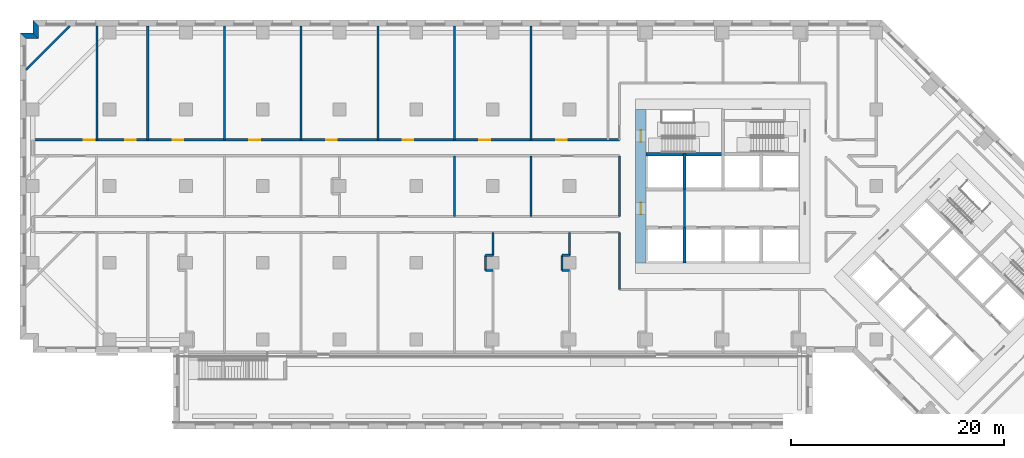
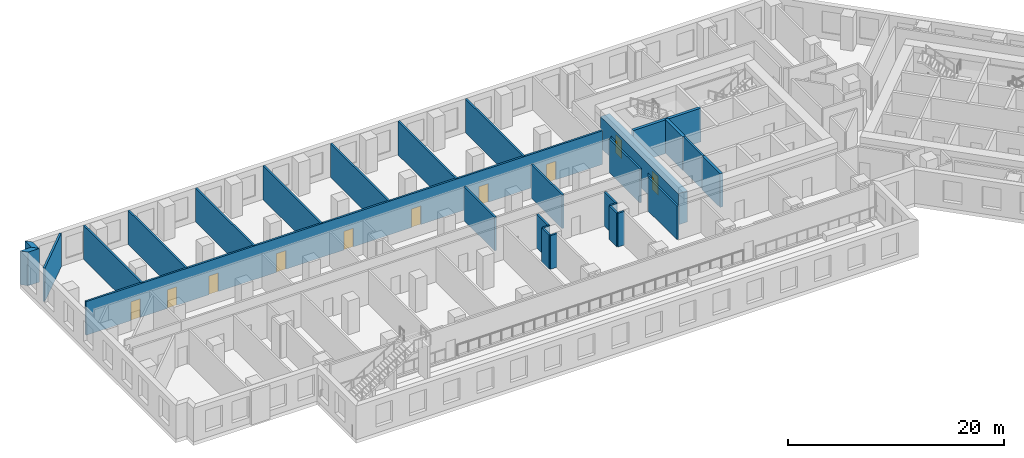
# One storey, part 5 of 14: 28 walls, 10 doors, 10 openings.
"""IFC4 building model written with IfcOpenShell, lengths in metres."""

from ifc_helpers import new_model, si_unit, direction, frame, frame_2d, origin, place, context, subcontext, project, spatial, polyline, rectangle, outline, extrude, material, layer, layer_set, type_object, element, fill, save


model = new_model("IFC4")

# Units and contexts
model_context = context("Model", 3, precision=1e-05, world=origin(), true_north=direction((0.0, 1.0)))
body_context = subcontext(model_context, "Body", "Model", "MODEL_VIEW")
ifc_project = project(units=[si_unit("LENGTHUNIT", "METRE"), si_unit("AREAUNIT", "SQUARE_METRE"), si_unit("VOLUMEUNIT", "CUBIC_METRE"), si_unit("PLANEANGLEUNIT", "RADIAN"), si_unit("MASSUNIT", "GRAM", prefix="KILO")], contexts=[model_context])

# Site, building, storey
site_placement = place(None, origin())
site = spatial("IfcSite", under=ifc_project, at=site_placement, CompositionType="ELEMENT")
building_placement = place(site_placement, origin())
building = spatial("IfcBuilding", under=site, at=building_placement, Name="Windrow Commons", CompositionType="ELEMENT")
storey_placement = place(building_placement, frame((0.0, 0.0, 18.6)))
storey = spatial("IfcBuildingStorey", under=building, at=storey_placement, Name="L04", CompositionType="ELEMENT", Elevation=18.6)

# Walls
ifc_material_1 = material(Name="Brick masonry, red clay brick", Category="masonry")
ifc_layer_1 = layer(ifc_material_1, 0.55)
ifc_layer_set_1 = layer_set([ifc_layer_1], Name="Brick facade wall 550")
wall_type_1 = type_object("IfcWallType", Name="Brick facade wall 550", PredefinedType="SOLIDWALL", material=ifc_layer_set_1)
wall_1_placement = place(storey_placement, frame((0.275, 72.925, 0.0), z_axis=(0.0, 0.0, 1.0), x_axis=(0.0, -1.0, 0.0)))
element("IfcWall", 1, at=wall_1_placement, inside=storey, type_object=wall_type_1, Name="Brick facade wall L04 6", PredefinedType="SOLIDWALL", context=body_context, shape_type="SweptSolid", body=[
    extrude(outline(polyline([(-0.275, -0.275), (0.925, -0.275), (1.475, 0.275), (0.275, 0.275), (-0.275, -0.275)])), origin(), (0.0, 0.0, 1.0), 3.8),
])
wall_2_placement = place(storey_placement, frame((0.275, 71.725, 0.0), z_axis=(0.0, 0.0, 1.0), x_axis=(-1.0, 0.0, 0.0)))
element("IfcWall", 2, at=wall_2_placement, inside=storey, type_object=wall_type_1, Name="Brick facade wall L04 7", PredefinedType="SOLIDWALL", context=body_context, shape_type="SweptSolid", body=[
    extrude(outline(polyline([(0.275, -0.275), (1.475, -0.275), (0.925, 0.275), (-0.275, 0.275), (0.275, -0.275)])), origin(), (0.0, 0.0, 1.0), 3.8),
])
ifc_material_2 = material(Name="Blockwork partition", Category="masonry")
ifc_layer_2 = layer(ifc_material_2, 0.2)
ifc_layer_set_2 = layer_set([ifc_layer_2], Name="Fire lobby partition 200")
wall_type_2 = type_object("IfcWallType", Name="Fire lobby partition 200", PredefinedType="PARTITIONING", material=ifc_layer_set_2)
wall_3_placement = place(storey_placement, frame((61.2, 53.7, 0.0), z_axis=(0.0, 0.0, 1.0), x_axis=(0.0, 1.0, 0.0)))
element("IfcWall", 3, at=wall_3_placement, inside=storey, type_object=wall_type_2, Name="W-core-lobby-A-L04", PredefinedType="PARTITIONING", context=body_context, shape_type="SweptSolid", body=[
    extrude(rectangle(XDim=3.6, YDim=0.2, at=frame_2d((1.8, 0.0))), origin(), (0.0, 0.0, 1.0), 3.8),
])

# Wall, openings, doors
ifc_material_3 = material(Name="Blockwork partition", Category="masonry")
ifc_layer_3 = layer(ifc_material_3, 0.2)
ifc_layer_set_3 = layer_set([ifc_layer_3], Name="IW-CORRIDOR-200")
wall_type_3 = type_object("IfcWallType", Name="IW-CORRIDOR-200", PredefinedType="PARTITIONING", material=ifc_layer_set_3)
wall_4_placement = place(storey_placement, frame((0.002, 61.95, 0.0), z_axis=(0.0, 0.0, 1.0), x_axis=(1.0, 0.0, 0.0)))
wall_4 = element("IfcWall", 4, at=wall_4_placement, inside=storey, type_object=wall_type_3, Name="W-L04-W003", PredefinedType="PARTITIONING", context=body_context, shape_type="SweptSolid", body=[
    extrude(rectangle(XDim=55.098, YDim=0.2, at=frame_2d((27.549, 0.0))), origin(), (0.0, 0.0, 1.0), 3.8),
])
opening_1_placement = place(wall_4_placement, frame((8.6667, 0.0, 0.0)))
opening_1 = element("IfcOpeningElement", 5, at=opening_1_placement, cuts=wall_4, Name="Opening D310F", PredefinedType="OPENING", context=body_context, shape_type="SweptSolid", body=[
    extrude(rectangle(XDim=1.0, YDim=2.1, at=frame_2d((0.5, 1.05))), frame((0.0, 0.11, 0.0), z_axis=(0.0, -1.0, 0.0), x_axis=(1.0, 0.0, 0.0)), (0.0, 0.0, 1.0), 0.22),
])
opening_2_placement = place(wall_4_placement, frame((13.1355, 0.0, 0.0)))
opening_2 = element("IfcOpeningElement", 6, at=opening_2_placement, cuts=wall_4, Name="Opening D310F", PredefinedType="OPENING", context=body_context, shape_type="SweptSolid", body=[
    extrude(rectangle(XDim=1.0, YDim=2.1, at=frame_2d((0.5, 1.05))), frame((0.0, 0.11, 0.0), z_axis=(0.0, -1.0, 0.0), x_axis=(1.0, 0.0, 0.0)), (0.0, 0.0, 1.0), 0.22),
])
opening_3_placement = place(wall_4_placement, frame((20.3355, 0.0, 0.0)))
opening_3 = element("IfcOpeningElement", 7, at=opening_3_placement, cuts=wall_4, Name="Opening D310F", PredefinedType="OPENING", context=body_context, shape_type="SweptSolid", body=[
    extrude(rectangle(XDim=1.0, YDim=2.1, at=frame_2d((0.5, 1.05))), frame((0.0, 0.11, 0.0), z_axis=(0.0, -1.0, 0.0), x_axis=(1.0, 0.0, 0.0)), (0.0, 0.0, 1.0), 0.22),
])
opening_4_placement = place(wall_4_placement, frame((27.5355, 0.0, 0.0)))
opening_4 = element("IfcOpeningElement", 8, at=opening_4_placement, cuts=wall_4, Name="Opening D310F", PredefinedType="OPENING", context=body_context, shape_type="SweptSolid", body=[
    extrude(rectangle(XDim=1.0, YDim=2.1, at=frame_2d((0.5, 1.05))), frame((0.0, 0.11, 0.0), z_axis=(0.0, -1.0, 0.0), x_axis=(1.0, 0.0, 0.0)), (0.0, 0.0, 1.0), 0.22),
])
opening_5_placement = place(wall_4_placement, frame((34.7355, 0.0, 0.0)))
opening_5 = element("IfcOpeningElement", 9, at=opening_5_placement, cuts=wall_4, Name="Opening D310F", PredefinedType="OPENING", context=body_context, shape_type="SweptSolid", body=[
    extrude(rectangle(XDim=1.0, YDim=2.1, at=frame_2d((0.5, 1.05))), frame((0.0, 0.11, 0.0), z_axis=(0.0, -1.0, 0.0), x_axis=(1.0, 0.0, 0.0)), (0.0, 0.0, 1.0), 0.22),
])
opening_6_placement = place(wall_4_placement, frame((41.9355, 0.0, 0.0)))
opening_6 = element("IfcOpeningElement", 10, at=opening_6_placement, cuts=wall_4, Name="Opening D310F", PredefinedType="OPENING", context=body_context, shape_type="SweptSolid", body=[
    extrude(rectangle(XDim=1.0, YDim=2.1, at=frame_2d((0.5, 1.05))), frame((0.0, 0.11, 0.0), z_axis=(0.0, -1.0, 0.0), x_axis=(1.0, 0.0, 0.0)), (0.0, 0.0, 1.0), 0.22),
])
opening_7_placement = place(wall_4_placement, frame((49.1355, 0.0, 0.0)))
opening_7 = element("IfcOpeningElement", 11, at=opening_7_placement, cuts=wall_4, Name="Opening D310F", PredefinedType="OPENING", context=body_context, shape_type="SweptSolid", body=[
    extrude(rectangle(XDim=1.0, YDim=2.1, at=frame_2d((0.5, 1.05))), frame((0.0, 0.11, 0.0), z_axis=(0.0, -1.0, 0.0), x_axis=(1.0, 0.0, 0.0)), (0.0, 0.0, 1.0), 0.22),
])
opening_8_placement = place(wall_4_placement, frame((4.7989, 0.0, 0.0)))
opening_8 = element("IfcOpeningElement", 12, at=opening_8_placement, cuts=wall_4, Name="Opening D310F", PredefinedType="OPENING", context=body_context, shape_type="SweptSolid", body=[
    extrude(rectangle(XDim=1.0, YDim=2.1, at=frame_2d((0.5, 1.05))), frame((0.0, 0.11, 0.0), z_axis=(0.0, -1.0, 0.0), x_axis=(1.0, 0.0, 0.0)), (0.0, 0.0, 1.0), 0.22),
])
ifc_material_4 = material(Name="Timber door leaf", Category="wood")
door_type_1 = type_object("IfcDoorType", Name="DT-AMENITY-1000", OperationType="SINGLE_SWING_LEFT", PredefinedType="DOOR", material=ifc_material_4)
door_1_placement = place(opening_1_placement, origin())
door_1 = element("IfcDoor", 13, at=door_1_placement, inside=storey, type_object=door_type_1, Name="D-L04-D019", OperationType="SINGLE_SWING_RIGHT", OverallHeight=2.1, OverallWidth=1.0, PredefinedType="DOOR", context=body_context, shape_type="SweptSolid", body=[
    extrude(rectangle(XDim=1.0, YDim=2.1, at=frame_2d((0.5, 1.05))), frame((0.0, 0.025, 0.0), z_axis=(0.0, -1.0, 0.0), x_axis=(1.0, 0.0, 0.0)), (0.0, 0.0, 1.0), 0.05),
])
fill(opening_1, door_1)
door_2_placement = place(opening_2_placement, origin())
door_2 = element("IfcDoor", 14, at=door_2_placement, inside=storey, type_object=door_type_1, Name="D-L04-D020", OperationType="SINGLE_SWING_LEFT", OverallHeight=2.1, OverallWidth=1.0, PredefinedType="DOOR", context=body_context, shape_type="SweptSolid", body=[
    extrude(rectangle(XDim=1.0, YDim=2.1, at=frame_2d((0.5, 1.05))), frame((0.0, 0.025, 0.0), z_axis=(0.0, -1.0, 0.0), x_axis=(1.0, 0.0, 0.0)), (0.0, 0.0, 1.0), 0.05),
])
fill(opening_2, door_2)
door_3_placement = place(opening_3_placement, origin())
door_3 = element("IfcDoor", 15, at=door_3_placement, inside=storey, type_object=door_type_1, Name="D-L04-D021", OperationType="SINGLE_SWING_LEFT", OverallHeight=2.1, OverallWidth=1.0, PredefinedType="DOOR", context=body_context, shape_type="SweptSolid", body=[
    extrude(rectangle(XDim=1.0, YDim=2.1, at=frame_2d((0.5, 1.05))), frame((0.0, 0.025, 0.0), z_axis=(0.0, -1.0, 0.0), x_axis=(1.0, 0.0, 0.0)), (0.0, 0.0, 1.0), 0.05),
])
fill(opening_3, door_3)
door_4_placement = place(opening_4_placement, origin())
door_4 = element("IfcDoor", 16, at=door_4_placement, inside=storey, type_object=door_type_1, Name="D-L04-D022", OperationType="SINGLE_SWING_LEFT", OverallHeight=2.1, OverallWidth=1.0, PredefinedType="DOOR", context=body_context, shape_type="SweptSolid", body=[
    extrude(rectangle(XDim=1.0, YDim=2.1, at=frame_2d((0.5, 1.05))), frame((0.0, 0.025, 0.0), z_axis=(0.0, -1.0, 0.0), x_axis=(1.0, 0.0, 0.0)), (0.0, 0.0, 1.0), 0.05),
])
fill(opening_4, door_4)
door_5_placement = place(opening_5_placement, origin())
door_5 = element("IfcDoor", 17, at=door_5_placement, inside=storey, type_object=door_type_1, Name="D-L04-D023", OperationType="SINGLE_SWING_LEFT", OverallHeight=2.1, OverallWidth=1.0, PredefinedType="DOOR", context=body_context, shape_type="SweptSolid", body=[
    extrude(rectangle(XDim=1.0, YDim=2.1, at=frame_2d((0.5, 1.05))), frame((0.0, 0.025, 0.0), z_axis=(0.0, -1.0, 0.0), x_axis=(1.0, 0.0, 0.0)), (0.0, 0.0, 1.0), 0.05),
])
fill(opening_5, door_5)
door_6_placement = place(opening_6_placement, origin())
door_6 = element("IfcDoor", 18, at=door_6_placement, inside=storey, type_object=door_type_1, Name="D-L04-D024", OperationType="SINGLE_SWING_LEFT", OverallHeight=2.1, OverallWidth=1.0, PredefinedType="DOOR", context=body_context, shape_type="SweptSolid", body=[
    extrude(rectangle(XDim=1.0, YDim=2.1, at=frame_2d((0.5, 1.05))), frame((0.0, 0.025, 0.0), z_axis=(0.0, -1.0, 0.0), x_axis=(1.0, 0.0, 0.0)), (0.0, 0.0, 1.0), 0.05),
])
fill(opening_6, door_6)
door_7_placement = place(opening_7_placement, origin())
door_7 = element("IfcDoor", 19, at=door_7_placement, inside=storey, type_object=door_type_1, Name="D-L04-D025", OperationType="SINGLE_SWING_LEFT", OverallHeight=2.1, OverallWidth=1.0, PredefinedType="DOOR", context=body_context, shape_type="SweptSolid", body=[
    extrude(rectangle(XDim=1.0, YDim=2.1, at=frame_2d((0.5, 1.05))), frame((0.0, 0.025, 0.0), z_axis=(0.0, -1.0, 0.0), x_axis=(1.0, 0.0, 0.0)), (0.0, 0.0, 1.0), 0.05),
])
fill(opening_7, door_7)
door_8_placement = place(opening_8_placement, origin())
door_8 = element("IfcDoor", 20, at=door_8_placement, inside=storey, type_object=door_type_1, Name="D-L04-D044", OperationType="SINGLE_SWING_LEFT", OverallHeight=2.1, OverallWidth=1.0, PredefinedType="DOOR", context=body_context, shape_type="SweptSolid", body=[
    extrude(rectangle(XDim=1.0, YDim=2.1, at=frame_2d((0.5, 1.05))), frame((0.0, 0.025, 0.0), z_axis=(0.0, -1.0, 0.0), x_axis=(1.0, 0.0, 0.0)), (0.0, 0.0, 1.0), 0.05),
])
fill(opening_8, door_8)

# Walls
wall_5_placement = place(storey_placement, frame((55.1, 54.752, 0.0), z_axis=(0.0, 0.0, 1.0), x_axis=(0.0, 1.0, 0.0)))
element("IfcWall", 21, at=wall_5_placement, inside=storey, type_object=wall_type_3, Name="W-L04-W051", PredefinedType="PARTITIONING", context=body_context, shape_type="SweptSolid", body=[
    extrude(rectangle(XDim=5.698, YDim=0.2, at=frame_2d((2.849, 0.0))), origin(), (0.0, 0.0, 1.0), 3.8),
])
wall_6_placement = place(storey_placement, frame((55.1, 47.9, 0.0), z_axis=(0.0, 0.0, 1.0), x_axis=(0.0, 1.0, 0.0)))
element("IfcWall", 22, at=wall_6_placement, inside=storey, type_object=wall_type_3, Name="W-L04-W056", PredefinedType="PARTITIONING", context=body_context, shape_type="SweptSolid", body=[
    extrude(rectangle(XDim=5.35, YDim=0.2, at=frame_2d((2.675, 0.0))), origin(), (0.0, 0.0, 1.0), 3.8),
])
ifc_material_5 = material(Name="Blockwork partition", Category="masonry")
ifc_layer_4 = layer(ifc_material_5, 0.2)
ifc_layer_set_4 = layer_set([ifc_layer_4], Name="IW-PARTY-200")
wall_type_4 = type_object("IfcWallType", Name="IW-PARTY-200", PredefinedType="PARTITIONING", material=ifc_layer_set_4)
for number, where, z_axis, x_axis, name in (
    (23, (6.03, 61.95, 0.0), (0.0, 0.0, 1.0), (0.0, 1.0, 0.0), "W-L04-W019"),
    (24, (10.8, 61.95, 0.0), (0.0, 0.0, 1.0), (0.0, 1.0, 0.0), "W-L04-W020"),
    (25, (18.0, 61.95, 0.0), (0.0, 0.0, 1.0), (0.0, 1.0, 0.0), "W-L04-W021"),
    (26, (25.2, 61.95, 0.0), (0.0, 0.0, 1.0), (0.0, 1.0, 0.0), "W-L04-W022"),
    (27, (32.4, 61.95, 0.0), (0.0, 0.0, 1.0), (0.0, 1.0, 0.0), "W-L04-W023"),
    (28, (39.6, 61.95, 0.0), (0.0, 0.0, 1.0), (0.0, 1.0, 0.0), "W-L04-W024"),
    (29, (46.8, 61.95, 0.0), (0.0, 0.0, 1.0), (0.0, 1.0, 0.0), "W-L04-W025"),
):
    element("IfcWall", number, at=place(storey_placement, frame(where, z_axis=z_axis, x_axis=x_axis)), inside=storey, type_object=wall_type_4, Name=name, PredefinedType="PARTITIONING", context=body_context, shape_type="SweptSolid", body=[
        extrude(rectangle(XDim=10.7, YDim=0.2, at=frame_2d((5.35, 0.0))), origin(), (0.0, 0.0, 1.0), 3.8),
    ])
wall_7_placement = place(storey_placement, frame((-0.65, 68.5192, 0.0), z_axis=(0.0, 0.0, 1.0), x_axis=(0.7071067812, 0.7071067812, 0.0)))
element("IfcWall", 30, at=wall_7_placement, inside=storey, type_object=wall_type_4, Name="W-L04-W046", PredefinedType="PARTITIONING", context=body_context, shape_type="SweptSolid", body=[
    extrude(rectangle(XDim=5.8418, YDim=0.2, at=frame_2d((2.9209, 0.0))), origin(), (0.0, 0.0, 1.0), 3.8),
])
for number, where, z_axis, x_axis, name in (
    (31, (39.6, 54.75, 0.0), (0.0, 0.0, 1.0), (0.0, 1.0, 0.0), "W-L04-W049"),
    (32, (46.8, 54.75, 0.0), (0.0, 0.0, 1.0), (0.0, 1.0, 0.0), "W-L04-W050"),
):
    element("IfcWall", number, at=place(storey_placement, frame(where, z_axis=z_axis, x_axis=x_axis)), inside=storey, type_object=wall_type_4, Name=name, PredefinedType="PARTITIONING", context=body_context, shape_type="SweptSolid", body=[
        extrude(rectangle(XDim=5.7, YDim=0.2, at=frame_2d((2.85, 0.0))), origin(), (0.0, 0.0, 1.0), 3.8),
    ])
for number, where, z_axis, x_axis, name in (
    (33, (43.2, 51.106, 0.0), (0.0, 0.0, 1.0), (0.0, 1.0, 0.0), "W-L04-W085"),
    (34, (50.4, 51.106, 0.0), (0.0, 0.0, 1.0), (0.0, 1.0, 0.0), "W-L04-W086"),
):
    element("IfcWall", number, at=place(storey_placement, frame(where, z_axis=z_axis, x_axis=x_axis)), inside=storey, type_object=wall_type_4, Name=name, PredefinedType="PARTITIONING", context=body_context, shape_type="SweptSolid", body=[
        extrude(rectangle(XDim=2.144, YDim=0.2, at=frame_2d((1.072, 0.0))), origin(), (0.0, 0.0, 1.0), 3.8),
    ])
for number, where, z_axis, x_axis, name in (
    (35, (42.5, 49.694, 0.0), (0.0, 0.0, 1.0), (0.0, 1.0, 0.0), "W-L04-W102"),
    (36, (49.7, 49.694, 0.0), (0.0, 0.0, 1.0), (0.0, 1.0, 0.0), "W-L04-W103"),
):
    element("IfcWall", number, at=place(storey_placement, frame(where, z_axis=z_axis, x_axis=x_axis)), inside=storey, type_object=wall_type_4, Name=name, PredefinedType="PARTITIONING", context=body_context, shape_type="SweptSolid", body=[
        extrude(rectangle(XDim=1.412, YDim=0.2, at=frame_2d((0.706, 0.0))), origin(), (0.0, 0.0, 1.0), 3.8),
    ])
for number, where, z_axis, x_axis, name in (
    (37, (42.5, 51.11, 0.0), (0.0, 0.0, 1.0), (1.0, 0.0, 0.0), "W-L04-W116"),
    (38, (42.5, 49.69, 0.0), (0.0, 0.0, 1.0), (1.0, 0.0, 0.0), "W-L04-W117"),
    (39, (49.7, 51.11, 0.0), (0.0, 0.0, 1.0), (1.0, 0.0, 0.0), "W-L04-W135"),
    (40, (49.7, 49.69, 0.0), (0.0, 0.0, 1.0), (1.0, 0.0, 0.0), "W-L04-W136"),
):
    element("IfcWall", number, at=place(storey_placement, frame(where, z_axis=z_axis, x_axis=x_axis)), inside=storey, type_object=wall_type_4, Name=name, PredefinedType="PARTITIONING", context=body_context, shape_type="SweptSolid", body=[
        extrude(rectangle(XDim=0.7, YDim=0.2, at=frame_2d((0.35, 0.0))), origin(), (0.0, 0.0, 1.0), 3.8),
    ])

# Wall, openings, doors
ifc_material_6 = material(Name="Concrete C60/75", Category="concrete")
ifc_layer_5 = layer(ifc_material_6, 1.0)
ifc_layer_set_5 = layer_set([ifc_layer_5], Name="RC CORE WALL 1000 C60/75")
wall_type_5 = type_object("IfcWallType", Name="RC CORE WALL 1000 C60/75", PredefinedType="SHEAR", material=ifc_layer_set_5)
wall_8_placement = place(storey_placement, frame((57.1, 50.4, -0.4), z_axis=(0.0, 0.0, 1.0), x_axis=(0.0, 1.0, 0.0)))
wall_8 = element("IfcWall", 41, at=wall_8_placement, inside=storey, type_object=wall_type_5, Name="Core A wall outer-W", PredefinedType="SHEAR", context=body_context, shape_type="SweptSolid", body=[
    extrude(rectangle(XDim=14.4, YDim=1.0, at=frame_2d((7.2, 0.0))), origin(), (0.0, 0.0, 1.0), 3.5),
])
opening_9_placement = place(wall_8_placement, frame((4.55, 0.0, 0.4)))
opening_9 = element("IfcOpeningElement", 42, at=opening_9_placement, cuts=wall_8, Name="Opening D6", PredefinedType="OPENING", context=body_context, shape_type="SweptSolid", body=[
    extrude(rectangle(XDim=1.1, YDim=2.1, at=frame_2d((0.55, 1.05))), frame((0.0, 0.51, 0.0), z_axis=(0.0, -1.0, 0.0), x_axis=(1.0, 0.0, 0.0)), (0.0, 0.0, 1.0), 1.02),
])
opening_10_placement = place(wall_8_placement, frame((11.35, 0.0, 0.4)))
opening_10 = element("IfcOpeningElement", 43, at=opening_10_placement, cuts=wall_8, Name="Opening D7", PredefinedType="OPENING", context=body_context, shape_type="SweptSolid", body=[
    extrude(rectangle(XDim=1.1, YDim=2.1, at=frame_2d((0.55, 1.05))), frame((0.0, 0.51, 0.0), z_axis=(0.0, -1.0, 0.0), x_axis=(1.0, 0.0, 0.0)), (0.0, 0.0, 1.0), 1.02),
])
ifc_material_7 = material(Name="Steel fire door leaf", Category="steel")
door_type_2 = type_object("IfcDoorType", Name="Core lobby door 1100", OperationType="SINGLE_SWING_LEFT", PredefinedType="DOOR", material=ifc_material_7)
door_9_placement = place(opening_9_placement, origin())
door_9 = element("IfcDoor", 44, at=door_9_placement, inside=storey, type_object=door_type_2, Name="Lift lobby door", OperationType="DOUBLE_DOOR_SINGLE_SWING", OverallHeight=2.1, OverallWidth=1.1, PredefinedType="DOOR", context=body_context, shape_type="SweptSolid", body=[
    extrude(rectangle(XDim=1.1, YDim=2.1, at=frame_2d((0.55, 1.05))), frame((0.0, 0.025, 0.0), z_axis=(0.0, -1.0, 0.0), x_axis=(1.0, 0.0, 0.0)), (0.0, 0.0, 1.0), 0.05),
])
fill(opening_9, door_9)
ifc_material_8 = material(Name="Steel fire door leaf", Category="steel")
door_type_3 = type_object("IfcDoorType", Name="Stair door 1100", OperationType="SINGLE_SWING_LEFT", PredefinedType="DOOR", material=ifc_material_8)
door_10_placement = place(opening_10_placement, origin())
door_10 = element("IfcDoor", 45, at=door_10_placement, inside=storey, type_object=door_type_3, Name="Stair door", OperationType="SINGLE_SWING_LEFT", OverallHeight=2.1, OverallWidth=1.1, PredefinedType="DOOR", context=body_context, shape_type="SweptSolid", body=[
    extrude(rectangle(XDim=1.1, YDim=2.1, at=frame_2d((0.55, 1.05))), frame((0.0, 0.025, 0.0), z_axis=(0.0, -1.0, 0.0), x_axis=(1.0, 0.0, 0.0)), (0.0, 0.0, 1.0), 0.05),
])
fill(opening_10, door_10)

# Walls
ifc_material_9 = material(Name="Concrete C60/75", Category="concrete")
ifc_layer_6 = layer(ifc_material_9, 0.3)
ifc_layer_set_6 = layer_set([ifc_layer_6], Name="RC SHAFT WALL 300 C60/75")
wall_type_6 = type_object("IfcWallType", Name="RC SHAFT WALL 300 C60/75", PredefinedType="SOLIDWALL", material=ifc_layer_set_6)
for number, where, z_axis, x_axis, name in (
    (46, (61.2, 50.4, 0.0), (0.0, 0.0, 1.0), (0.0, 1.0, 0.0), "Core A wall shaft-S1"),
    (47, (61.2, 57.3, 0.0), (0.0, 0.0, 1.0), (0.0, 1.0, 0.0), "Core A wall shaft-N1"),
):
    element("IfcWall", number, at=place(storey_placement, frame(where, z_axis=z_axis, x_axis=x_axis)), inside=storey, type_object=wall_type_6, Name=name, PredefinedType="SOLIDWALL", context=body_context, shape_type="SweptSolid", body=[
        extrude(rectangle(XDim=3.3, YDim=0.3, at=frame_2d((1.65, 0.0))), origin(), (0.0, 0.0, 1.0), 3.8),
    ])
wall_9_placement = place(storey_placement, frame((57.6, 60.6, 0.0), z_axis=(0.0, 0.0, 1.0), x_axis=(1.0, 0.0, 0.0)))
element("IfcWall", 48, at=wall_9_placement, inside=storey, type_object=wall_type_6, Name="Core A wall stair-S", PredefinedType="SOLIDWALL", context=body_context, shape_type="SweptSolid", body=[
    extrude(rectangle(XDim=7.2, YDim=0.3, at=frame_2d((3.6, 0.0))), origin(), (0.0, 0.0, 1.0), 3.8),
])

save(model, "model.ifc")
